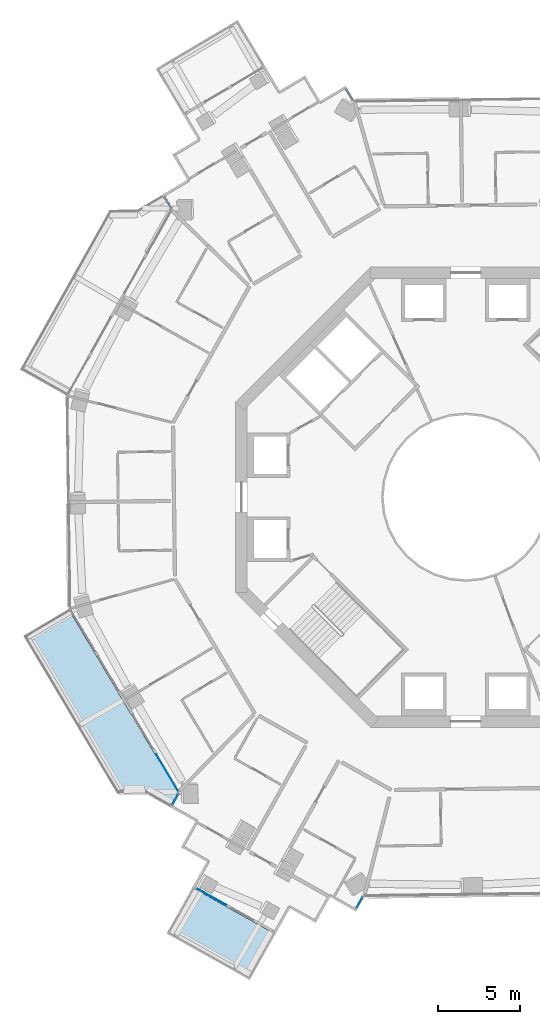
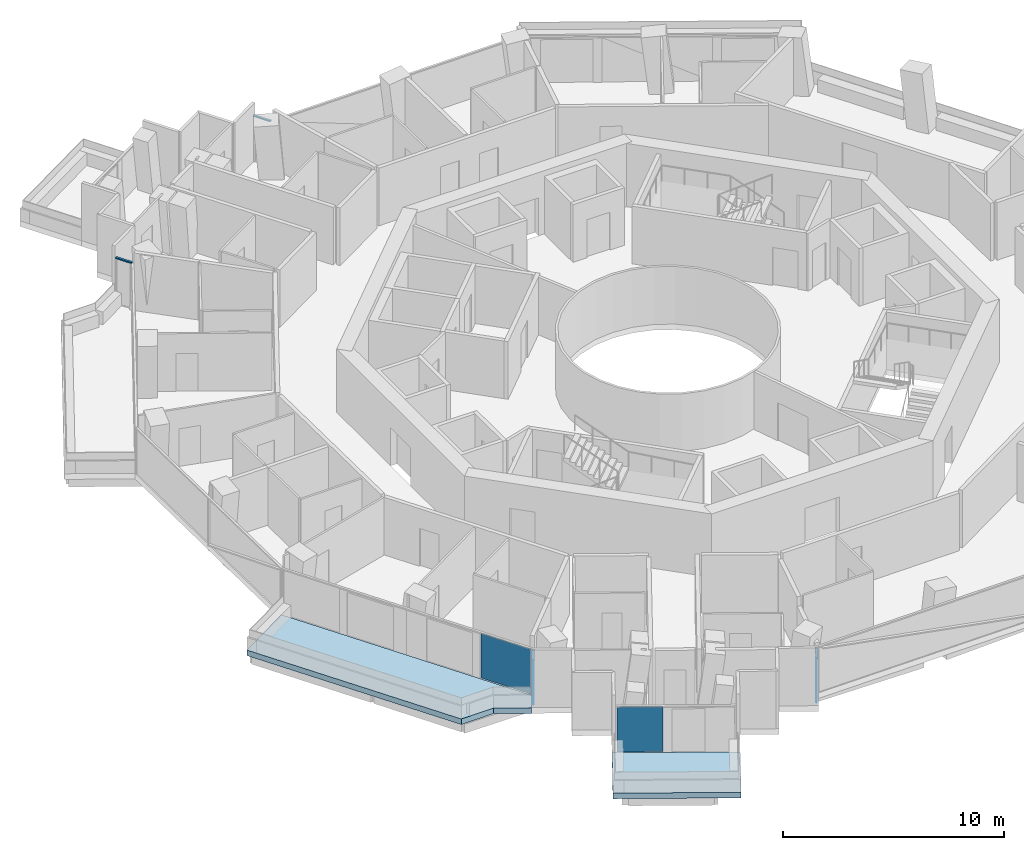
# One storey, part 10 of 21: 4 members, 4 plates, 2 slabs, 6 elements without a shape of their own.
"""IFC4 building model written with IfcOpenShell, lengths in metres."""

from ifc_helpers import new_model, si_unit, direction, frame, origin, origin_2d, place, context, subcontext, project, spatial, polyline, rectangle, outline, extrude, material, layer, layer_set, material_profile, profile_set, type_object, element, aggregate, save


model = new_model("IFC4")

# Units and contexts
model_context = context("Model", 3, precision=1e-05, world=origin(), true_north=direction((0.0, 1.0)))
body_context = subcontext(model_context, "Body", "Model", "MODEL_VIEW")
ifc_project = project(units=[si_unit("LENGTHUNIT", "METRE"), si_unit("AREAUNIT", "SQUARE_METRE"), si_unit("VOLUMEUNIT", "CUBIC_METRE"), si_unit("PLANEANGLEUNIT", "RADIAN"), si_unit("MASSUNIT", "GRAM", prefix="KILO")], contexts=[model_context])

# Site, building, storey
site_placement = place(None, origin())
site = spatial("IfcSite", under=ifc_project, at=site_placement, CompositionType="ELEMENT")
building_placement = place(site_placement, origin())
building = spatial("IfcBuilding", under=site, at=building_placement, Name="Verdalira Terraces Hotel", CompositionType="ELEMENT")
storey_placement = place(building_placement, frame((0.0, 0.0, 158.5)))
storey = spatial("IfcBuildingStorey", under=building, at=storey_placement, Name="L38", CompositionType="ELEMENT", Elevation=158.5)

# Curtain wall, member
ifc_material_1 = material(Name="Clear glass", Category="glass")
ifc_layer_1 = layer(ifc_material_1, 0.14990234375)
ifc_layer_set_1 = layer_set([ifc_layer_1], Name="CW2 curtain wall")
curtain_wall_type_1 = type_object("IfcCurtainWallType", Name="CW2 curtain wall", PredefinedType="NOTDEFINED", material=ifc_layer_set_1)
curtain_wall_1_placement = place(storey_placement, origin())
curtain_wall_1 = element("IfcCurtainWall", 1, at=curtain_wall_1_placement, inside=storey, type_object=curtain_wall_type_1, Name="CW2 curtain wall L38 edge 0", PredefinedType="NOTDEFINED")
ifc_material_2 = material(Name="Terracotta frame", Category="masonry")
ifc_material_profile = material_profile(ifc_material_2, rectangle(XDim=0.11499, YDim=0.064941, at=origin_2d()), Name="TR 65x115")
ifc_profile_set = profile_set([ifc_material_profile], Name="Terracotta frame")
member_type = type_object("IfcMemberType", Name="CW2 transom 65x115", PredefinedType="USERDEFINED", material=ifc_profile_set)
member_1_placement = place(storey_placement, frame((-6.868896, 24.136475, 2.507568), z_axis=(-0.51073121, 0.859740444, 0.0), x_axis=(-0.859740444, -0.51073121, 0.0)))
member_1 = element("IfcMember", 2, at=member_1_placement, type_object=member_type, Name="CW2 transom", ObjectType="TRANSOM", PredefinedType="USERDEFINED", context=body_context, shape_type="SweptSolid", body=[
    extrude(rectangle(XDim=0.11499, YDim=0.064941, at=origin_2d()), origin(), (0.0, 0.0, 1.0), 0.849854),
])
aggregate(curtain_wall_1, [member_1])

curtain_wall_2_placement = place(storey_placement, origin())
curtain_wall_2 = element("IfcCurtainWall", 3, at=curtain_wall_2_placement, inside=storey, type_object=curtain_wall_type_1, Name="CW2 curtain wall L38 edge 10", PredefinedType="NOTDEFINED")
member_2_placement = place(storey_placement, frame((-18.349854, 18.302734, 2.507568), z_axis=(0.510943485, -0.859614306, 0.0), x_axis=(0.859614306, 0.510943485, 0.0)))
member_2 = element("IfcMember", 4, at=member_2_placement, type_object=member_type, Name="CW2 transom", ObjectType="TRANSOM", PredefinedType="USERDEFINED", context=body_context, shape_type="SweptSolid", body=[
    extrude(rectangle(XDim=0.11499, YDim=0.064941, at=origin_2d()), origin(), (0.0, 0.0, 1.0), 0.850098),
])
aggregate(curtain_wall_2, [member_2])

curtain_wall_3_placement = place(storey_placement, origin())
curtain_wall_3 = element("IfcCurtainWall", 5, at=curtain_wall_3_placement, inside=storey, type_object=curtain_wall_type_1, Name="CW2 curtain wall L38 edge 14", PredefinedType="NOTDEFINED")
member_3_placement = place(storey_placement, frame((-17.468262, -18.016846, 2.507568), z_axis=(-0.489224327, -0.872157989, 0.0), x_axis=(0.872157989, -0.489224327, 0.0)))
member_3 = element("IfcMember", 6, at=member_3_placement, type_object=member_type, Name="CW2 transom", ObjectType="TRANSOM", PredefinedType="USERDEFINED", context=body_context, shape_type="SweptSolid", body=[
    extrude(rectangle(XDim=0.11499, YDim=0.064941, at=origin_2d()), origin(), (0.0, 0.0, 1.0), 0.849854),
])

curtain_wall_4_placement = place(storey_placement, origin())
curtain_wall_4 = element("IfcCurtainWall", 7, at=curtain_wall_4_placement, inside=storey, type_object=curtain_wall_type_1, Name="CW2 curtain wall L38 edge 24", PredefinedType="NOTDEFINED")
member_4_placement = place(storey_placement, frame((-6.675781, -25.042725, 2.507568), z_axis=(0.489224327, 0.872157989, 0.0), x_axis=(-0.872157989, 0.489224327, 0.0)))
member_4 = element("IfcMember", 8, at=member_4_placement, type_object=member_type, Name="CW2 transom", ObjectType="TRANSOM", PredefinedType="USERDEFINED", context=body_context, shape_type="SweptSolid", body=[
    extrude(rectangle(XDim=0.11499, YDim=0.064941, at=origin_2d()), origin(), (0.0, 0.0, 1.0), 0.849854),
])

# Slabs
ifc_material_3 = material(Name="Precast concrete C40/50", Category="concrete")
ifc_layer_2 = layer(ifc_material_3, 0.31005859375)
ifc_layer_set_2 = layer_set([ifc_layer_2], Name="Balcony deck 310")
slab_type = type_object("IfcSlabType", Name="Balcony deck 310", PredefinedType="FLOOR", material=ifc_layer_set_2)
slab_1_placement = place(storey_placement, frame((0.0, 0.0, -0.310059)))
element("IfcSlab", 9, at=slab_1_placement, inside=storey, type_object=slab_type, Name="Balcony deck", PredefinedType="FLOOR", context=body_context, shape_type="SweptSolid", body=[
    extrude(outline(polyline([(-26.925781, -8.438965), (-21.228516, -18.026611), (-19.533691, -18.005127), (-18.022949, -18.852295), (-17.533691, -17.97998), (-24.174805, -6.804199), (-26.925781, -8.438965)])), origin(), (0.0, 0.0, 1.0), 0.310059),
])
slab_2_placement = place(storey_placement, frame((0.0, 0.0, -0.310059)))
element("IfcSlab", 10, at=slab_2_placement, inside=storey, type_object=slab_type, Name="Balcony deck", PredefinedType="FLOOR", context=body_context, shape_type="SweptSolid", body=[
    extrude(outline(polyline([(-13.149414, -29.380859), (-11.584473, -26.5896), (-16.643555, -23.753174), (-18.208496, -26.544189), (-13.149414, -29.380859)])), origin(), (0.0, 0.0, 1.0), 0.310059),
])

# Curtain wall, plate
ifc_material_4 = material(Name="Clear glass", Category="glass")
ifc_layer_3 = layer(ifc_material_4, 0.14990234375)
ifc_layer_set_3 = layer_set([ifc_layer_3], Name="CW1 curtain wall")
curtain_wall_type_2 = type_object("IfcCurtainWallType", Name="CW1 curtain wall", PredefinedType="NOTDEFINED", material=ifc_layer_set_3)
curtain_wall_5_placement = place(storey_placement, origin())
curtain_wall_5 = element("IfcCurtainWall", 11, at=curtain_wall_5_placement, inside=storey, type_object=curtain_wall_type_2, Name="CW1 curtain wall L38 edge 13", PredefinedType="NOTDEFINED")
ifc_material_5 = material(Name="Clear glass", Category="glass")
ifc_layer_4 = layer(ifc_material_5, 0.028076171875)
ifc_layer_set_4 = layer_set([ifc_layer_4], Name="CW1 glass unit 28")
plate_type_1 = type_object("IfcPlateType", Name="CW1 glass unit 28", PredefinedType="CURTAIN_PANEL", material=ifc_layer_set_4)
plate_1_placement = place(storey_placement, frame((-18.165283, -16.770752, 0.0), z_axis=(0.0, 0.0, 1.0), x_axis=(0.510843032, -0.859674006, 0.0)))
plate_1 = element("IfcPlate", 12, at=plate_1_placement, type_object=plate_type_1, Name="CW1 glass unit", PredefinedType="CURTAIN_PANEL", context=body_context, shape_type="SweptSolid", body=[
    extrude(rectangle(XDim=2.604492, YDim=0.028076, at=origin_2d()), origin(), (0.0, 0.0, 1.0), 2.475098),
])
aggregate(curtain_wall_5, [plate_1])

# Plate
ifc_material_6 = material(Name="Clear glass", Category="glass")
ifc_layer_5 = layer(ifc_material_6, 0.031982421875)
ifc_layer_set_5 = layer_set([ifc_layer_5], Name="CW2 glass unit 32")
plate_type_2 = type_object("IfcPlateType", Name="CW2 glass unit 32", PredefinedType="CURTAIN_PANEL", material=ifc_layer_set_5)
plate_2_placement = place(storey_placement, frame((-17.67627, -18.387451, 0.0), z_axis=(0.0, 0.0, 1.0), x_axis=(-0.489078012, -0.872240046, 0.0)))
plate_2 = element("IfcPlate", 13, at=plate_2_placement, type_object=plate_type_2, Name="CW2 glass unit", PredefinedType="CURTAIN_PANEL", context=body_context, shape_type="SweptSolid", body=[
    extrude(rectangle(XDim=0.709961, YDim=0.031982, at=origin_2d()), origin(), (0.0, 0.0, 1.0), 2.475098),
])

aggregate(curtain_wall_3, [member_3, plate_2])

plate_3_placement = place(storey_placement, frame((-6.468018, -24.672119, 0.0), z_axis=(0.0, 0.0, 1.0), x_axis=(0.489078012, 0.872240046, 0.0)))
plate_3 = element("IfcPlate", 14, at=plate_3_placement, type_object=plate_type_2, Name="CW2 glass unit", PredefinedType="CURTAIN_PANEL", context=body_context, shape_type="SweptSolid", body=[
    extrude(rectangle(XDim=0.709961, YDim=0.031982, at=origin_2d()), origin(), (0.0, 0.0, 1.0), 2.475098),
])

aggregate(curtain_wall_4, [member_4, plate_3])

# Curtain wall, plate
ifc_material_7 = material(Name="Clear glass", Category="glass")
ifc_layer_6 = layer(ifc_material_7, 0.14990234375)
ifc_layer_set_6 = layer_set([ifc_layer_6], Name="CW3 curtain wall")
curtain_wall_type_3 = type_object("IfcCurtainWallType", Name="CW3 curtain wall", PredefinedType="NOTDEFINED", material=ifc_layer_set_6)
curtain_wall_6_placement = place(storey_placement, origin())
curtain_wall_6 = element("IfcCurtainWall", 15, at=curtain_wall_6_placement, inside=storey, type_object=curtain_wall_type_3, Name="CW3 curtain wall L38 edge 19", PredefinedType="NOTDEFINED")
ifc_material_8 = material(Name="Clear glass", Category="glass")
ifc_layer_7 = layer(ifc_material_8, 0.035888671875)
ifc_layer_set_7 = layer_set([ifc_layer_7], Name="CW3 glass unit 36")
plate_type_3 = type_object("IfcPlateType", Name="CW3 glass unit 36", PredefinedType="CURTAIN_PANEL", material=ifc_layer_set_7)
plate_4_placement = place(storey_placement, frame((-15.499023, -24.308838, 0.0), z_axis=(0.0, 0.0, 1.0), x_axis=(0.872240046, -0.489078012, 0.0)))
plate_4 = element("IfcPlate", 16, at=plate_4_placement, type_object=plate_type_3, Name="CW3 glass unit", PredefinedType="CURTAIN_PANEL", context=body_context, shape_type="SweptSolid", body=[
    extrude(rectangle(XDim=2.080078, YDim=0.035889, at=origin_2d()), origin(), (0.0, 0.0, 1.0), 2.475098),
])
aggregate(curtain_wall_6, [plate_4])

save(model, "model.ifc")
